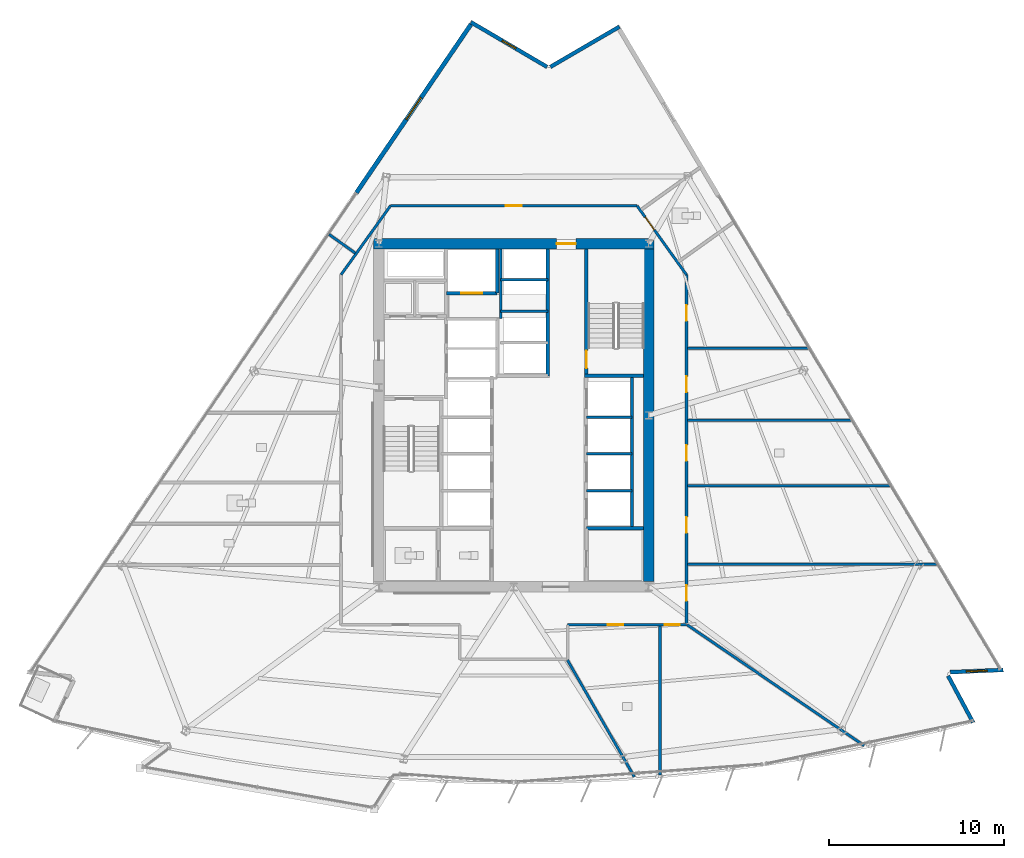
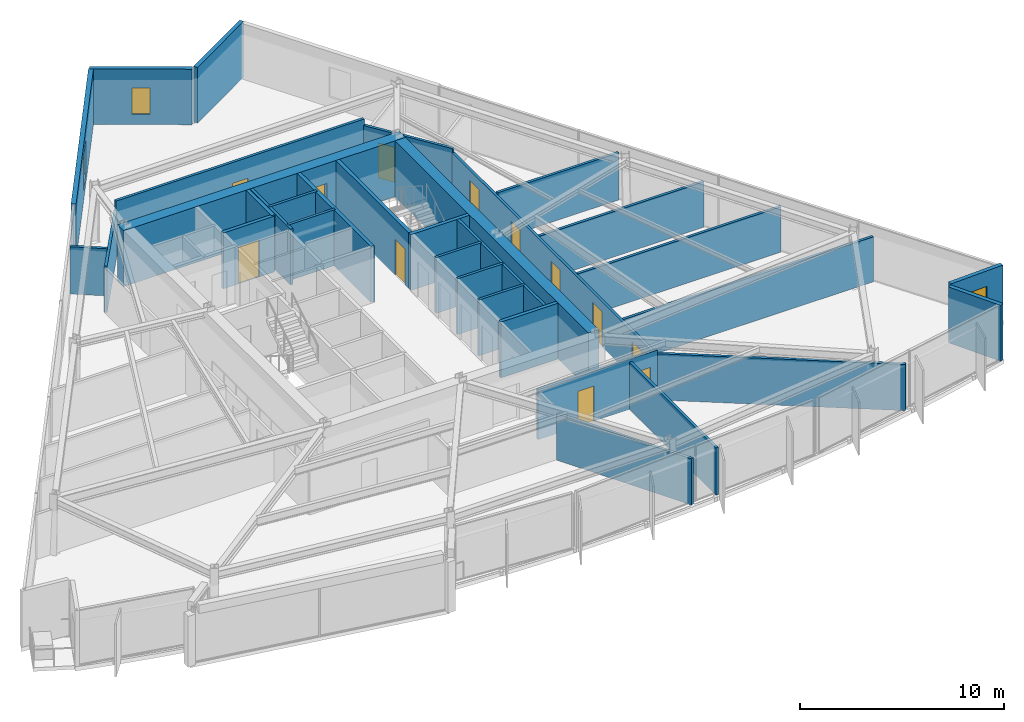
# One storey, part 9 of 15: 33 walls, 12 doors, 3 windows, 15 openings.
"""IFC4 building model written with IfcOpenShell, lengths in metres."""

from ifc_helpers import new_model, si_unit, direction, frame, frame_2d, origin, place, context, subcontext, project, spatial, rectangle, extrude, material, layer, layer_set, type_object, element, fill, save


model = new_model("IFC4")

# Units and contexts
model_context = context("Model", 3, precision=1e-05, world=origin(), true_north=direction((0.0, 1.0)))
body_context = subcontext(model_context, "Body", "Model", "MODEL_VIEW")
ifc_project = project(units=[si_unit("LENGTHUNIT", "METRE"), si_unit("AREAUNIT", "SQUARE_METRE"), si_unit("VOLUMEUNIT", "CUBIC_METRE"), si_unit("PLANEANGLEUNIT", "RADIAN"), si_unit("MASSUNIT", "GRAM", prefix="KILO")], contexts=[model_context])

# Site, building, storey
site_placement = place(None, origin())
site = spatial("IfcSite", under=ifc_project, at=site_placement, CompositionType="ELEMENT")
building_placement = place(site_placement, origin())
building = spatial("IfcBuilding", under=site, at=building_placement, Name="Savorim Split Tower", CompositionType="ELEMENT")
storey_placement = place(building_placement, frame((0.0, 0.0, 107.699951171875)))
storey = spatial("IfcBuildingStorey", under=building, at=storey_placement, Name="L28", CompositionType="ELEMENT", Elevation=107.699951171875)

# Wall, opening, door
ifc_material_1 = material(Name="Concrete C60/75", Category="concrete")
ifc_layer_1 = layer(ifc_material_1, 0.60009765625)
ifc_layer_set_1 = layer_set([ifc_layer_1], Name="WAL-COR-SH600")
wall_type_1 = type_object("IfcWallType", Name="WAL-COR-SH600", PredefinedType="SHEAR", material=ifc_layer_set_1)
wall_1_placement = place(storey_placement, frame((8.0, 10.199951171875, 0.0), z_axis=(0.0, 0.0, 1.0), x_axis=(-1.0, 0.0, 0.0)))
wall_1 = element("IfcWall", 1, at=wall_1_placement, inside=storey, type_object=wall_type_1, Name="L28 Offset Core North Shear Wall", PredefinedType="SHEAR", context=body_context, shape_type="SweptSolid", body=[
    extrude(rectangle(XDim=16.0, YDim=0.60009765625, at=frame_2d((8.0, 0.0))), origin(), (0.0, 0.0, 1.0), 3.35009765625),
])
opening_1_placement = place(wall_1_placement, frame((4.449951171875, 0.0, 0.0)))
opening_1 = element("IfcOpeningElement", 2, at=opening_1_placement, cuts=wall_1, Name="Opening DI-03", PredefinedType="OPENING", context=body_context, shape_type="SweptSolid", body=[
    extrude(rectangle(XDim=1.10009765625, YDim=2.14990234375, at=frame_2d((0.550048828125, 1.074951171875))), frame((0.0, 0.31005859375, 0.0), z_axis=(0.0, -1.0, 0.0), x_axis=(1.0, 0.0, 0.0)), (0.0, 0.0, 1.0), 0.6201171875),
])
ifc_material_2 = material(Name="Timber Fire Door Leaf", Category="wood")
door_type_1 = type_object("IfcDoorType", Name="DOR-FIR-1100", OperationType="NOTDEFINED", PredefinedType="DOOR", material=ifc_material_2)
door_1_placement = place(opening_1_placement, origin())
door_1 = element("IfcDoor", 3, at=door_1_placement, inside=storey, type_object=door_type_1, Name="DOR-L28-COR-NLOB - L28 North Corridor Lobby Fire Door", OperationType="SINGLE_SWING_LEFT", OverallHeight=2.14990234375, OverallWidth=1.10009765625, PredefinedType="DOOR", context=body_context, shape_type="SweptSolid", body=[
    extrude(rectangle(XDim=1.10009765625, YDim=2.14990234375, at=frame_2d((0.550048828125, 1.074951171875))), frame((0.0, 0.02490234375, 0.0), z_axis=(0.0, -1.0, 0.0), x_axis=(1.0, 0.0, 0.0)), (0.0, 0.0, 1.0), 0.050048828125),
])
fill(opening_1, door_1)

# Walls
wall_2_placement = place(storey_placement, frame((7.699951171875, 9.89990234375, 0.0), z_axis=(0.0, 0.0, 1.0), x_axis=(0.0, -1.0, 0.0)))
element("IfcWall", 4, at=wall_2_placement, inside=storey, type_object=wall_type_1, Name="L28 Offset Core East Shear Wall", PredefinedType="SHEAR", context=body_context, shape_type="SweptSolid", body=[
    extrude(rectangle(XDim=19.0, YDim=0.60009765625, at=frame_2d((9.5, 0.0))), origin(), (0.0, 0.0, 1.0), 3.35009765625),
])
ifc_material_3 = material(Name="Precast concrete C40/50", Category="concrete")
ifc_layer_2 = layer(ifc_material_3, 0.219970703125)
ifc_layer_set_2 = layer_set([ifc_layer_2], Name="WAL-EXT-CRN220")
wall_type_2 = type_object("IfcWallType", Name="WAL-EXT-CRN220", PredefinedType="SOLIDWALL", material=ifc_layer_set_2)
wall_3_placement = place(storey_placement, frame((24.79833984375, -14.477294921875, 0.0), z_axis=(0.0, 0.0, 1.0), x_axis=(0.472820757697, -0.881158629925, 0.0)))
element("IfcWall", 5, at=wall_3_placement, inside=storey, type_object=wall_type_2, Name="L28 Notched Corner Facade Wall SE1", PredefinedType="SOLIDWALL", context=body_context, shape_type="SweptSolid", body=[
    extrude(rectangle(XDim=3.02880859375, YDim=0.219970703125, at=frame_2d((1.514404296875, 0.0))), origin(), (0.0, 0.0, 1.0), 3.35009765625),
])

# Wall, opening, window
wall_4_placement = place(storey_placement, frame((27.943359375, -14.135009765625, 0.0), z_axis=(0.0, 0.0, 1.0), x_axis=(-0.999095621918, -0.042519857284, 0.0)))
wall_4 = element("IfcWall", 6, at=wall_4_placement, inside=storey, type_object=wall_type_2, Name="L28 Notched Corner Facade Wall SE", PredefinedType="SOLIDWALL", context=body_context, shape_type="SweptSolid", body=[
    extrude(rectangle(XDim=3.02587890625, YDim=0.219970703125, at=frame_2d((1.512939453125, 0.0))), origin(), (0.0, 0.0, 1.0), 3.35009765625),
])
opening_2_placement = place(wall_4_placement, frame((0.9130859375, 0.0, 0.6201171875)))
opening_2 = element("IfcOpeningElement", 7, at=opening_2_placement, cuts=wall_4, Name="Opening WN-08", PredefinedType="OPENING", context=body_context, shape_type="SweptSolid", body=[
    extrude(rectangle(XDim=1.199951171875, YDim=1.800048828125, at=frame_2d((0.60009765625, 0.89990234375))), frame((0.0, 0.119873046875, 0.0), z_axis=(0.0, -1.0, 0.0), x_axis=(1.0, 0.0, 0.0)), (0.0, 0.0, 1.0), 0.239990234375),
])
ifc_material_4 = material(Name="Low-E Operable Double Glazing", Category="glass")
window_type_1 = type_object("IfcWindowType", Name="WIN-TWR-1200x1800", PartitioningType="SINGLE_PANEL", PredefinedType="WINDOW", material=ifc_material_4)
window_1_placement = place(opening_2_placement, origin())
window_1 = element("IfcWindow", 8, at=window_1_placement, inside=storey, type_object=window_type_1, Name="L28 Operable Corner Window SE", OverallHeight=1.800048828125, OverallWidth=1.199951171875, PartitioningType="SINGLE_PANEL", PredefinedType="WINDOW", context=body_context, shape_type="SweptSolid", body=[
    extrude(rectangle(XDim=1.199951171875, YDim=1.800048828125, at=frame_2d((0.60009765625, 0.89990234375))), frame((0.0, 0.030029296875, 0.0), z_axis=(0.0, -1.0, 0.0), x_axis=(1.0, 0.0, 0.0)), (0.0, 0.0, 1.0), 0.06005859375),
])
fill(opening_2, window_1)

# Wall
wall_5_placement = place(storey_placement, frame((2.090087890625, 20.290771484375, 0.0), z_axis=(0.0, 0.0, 1.0), x_axis=(0.863978647835, 0.503528446153, 0.0)))
element("IfcWall", 9, at=wall_5_placement, inside=storey, type_object=wall_type_2, Name="L28 Notched Corner Facade Wall NE1", PredefinedType="SOLIDWALL", context=body_context, shape_type="SweptSolid", body=[
    extrude(rectangle(XDim=4.564453125, YDim=0.219970703125, at=frame_2d((2.2822265625, 0.0))), origin(), (0.0, 0.0, 1.0), 3.35009765625),
])

# Wall, opening, window
wall_6_placement = place(storey_placement, frame((-2.447021484375, 22.845703125, 0.0), z_axis=(0.0, 0.0, 1.0), x_axis=(0.8621357974, -0.506677280763, 0.0)))
wall_6 = element("IfcWall", 10, at=wall_6_placement, inside=storey, type_object=wall_type_2, Name="L28 Notched Corner Facade Wall N", PredefinedType="SOLIDWALL", context=body_context, shape_type="SweptSolid", body=[
    extrude(rectangle(XDim=5.0419921875, YDim=0.219970703125, at=frame_2d((2.52099609375, 0.0))), origin(), (0.0, 0.0, 1.0), 3.35009765625),
])
opening_3_placement = place(wall_6_placement, frame((2.071044921875, 0.0, 0.6201171875)))
opening_3 = element("IfcOpeningElement", 11, at=opening_3_placement, cuts=wall_6, Name="Opening WN-10", PredefinedType="OPENING", context=body_context, shape_type="SweptSolid", body=[
    extrude(rectangle(XDim=0.89990234375, YDim=1.60009765625, at=frame_2d((0.449951171875, 0.800048828125))), frame((0.0, 0.119873046875, 0.0), z_axis=(0.0, -1.0, 0.0), x_axis=(1.0, 0.0, 0.0)), (0.0, 0.0, 1.0), 0.239990234375),
])
window_type_2 = type_object("IfcWindowType", Name="WIN-TWR-900x1600", PartitioningType="SINGLE_PANEL", PredefinedType="WINDOW", material=ifc_material_4)
window_2_placement = place(opening_3_placement, origin())
window_2 = element("IfcWindow", 12, at=window_2_placement, inside=storey, type_object=window_type_2, Name="L28 Operable Corner Window N", OverallHeight=1.60009765625, OverallWidth=0.89990234375, PartitioningType="SINGLE_PANEL", PredefinedType="WINDOW", context=body_context, shape_type="SweptSolid", body=[
    extrude(rectangle(XDim=0.89990234375, YDim=1.60009765625, at=frame_2d((0.449951171875, 0.800048828125))), frame((0.0, 0.030029296875, 0.0), z_axis=(0.0, -1.0, 0.0), x_axis=(1.0, 0.0, 0.0)), (0.0, 0.0, 1.0), 0.06005859375),
])
fill(opening_3, window_2)

ifc_layer_3 = layer(ifc_material_3, 0.25)
ifc_layer_set_3 = layer_set([ifc_layer_3], Name="WAL-EXT-SPN250")
wall_type_3 = type_object("IfcWallType", Name="WAL-EXT-SPN250", PredefinedType="SOLIDWALL", material=ifc_layer_set_3)
wall_7_placement = place(storey_placement, frame((-8.98388671875, 13.1083984375, 0.0), z_axis=(0.0, 0.0, 1.0), x_axis=(0.562459365703, 0.826824928225, 0.0)))
wall_7 = element("IfcWall", 13, at=wall_7_placement, inside=storey, type_object=wall_type_3, Name="L28 West Operable Window Pier", PredefinedType="SOLIDWALL", context=body_context, shape_type="SweptSolid", body=[
    extrude(rectangle(XDim=11.625, YDim=0.25, at=frame_2d((5.8125, 0.0))), origin(), (0.0, 0.0, 1.0), 3.35009765625),
])
opening_4_placement = place(wall_7_placement, frame((5.0625, 0.0, 0.6201171875)))
opening_4 = element("IfcOpeningElement", 14, at=opening_4_placement, cuts=wall_7, Name="Opening WN-06", PredefinedType="OPENING", context=body_context, shape_type="SweptSolid", body=[
    extrude(rectangle(XDim=1.5, YDim=2.0, at=frame_2d((0.75, 1.0))), frame((0.0, 0.135009765625, 0.0), z_axis=(0.0, -1.0, 0.0), x_axis=(1.0, 0.0, 0.0)), (0.0, 0.0, 1.0), 0.27001953125),
])
window_type_3 = type_object("IfcWindowType", Name="WIN-TWR-1500x2000", PartitioningType="SINGLE_PANEL", PredefinedType="WINDOW", material=ifc_material_4)
window_3_placement = place(opening_4_placement, origin())
window_3 = element("IfcWindow", 15, at=window_3_placement, inside=storey, type_object=window_type_3, Name="L28 West Operable Ventilation Window", OverallHeight=2.0, OverallWidth=1.5, PartitioningType="SINGLE_PANEL", PredefinedType="WINDOW", context=body_context, shape_type="SweptSolid", body=[
    extrude(rectangle(XDim=1.5, YDim=2.0, at=frame_2d((0.75, 1.0))), frame((0.0, 0.030029296875, 0.0), z_axis=(0.0, -1.0, 0.0), x_axis=(1.0, 0.0, 0.0)), (0.0, 0.0, 1.0), 0.06005859375),
])
fill(opening_4, window_3)

# Wall, opening, door
ifc_material_5 = material(Name="Concrete C50/60", Category="concrete")
ifc_layer_4 = layer(ifc_material_5, 0.199951171875)
ifc_layer_set_4 = layer_set([ifc_layer_4], Name="WAL-INT-RC200")
wall_type_4 = type_object("IfcWallType", Name="WAL-INT-RC200", PredefinedType="SOLIDWALL", material=ifc_layer_set_4)
wall_8_placement = place(storey_placement, frame((4.14990234375, 2.75, 0.0), z_axis=(0.0, 0.0, 1.0), x_axis=(0.0, 1.0, 0.0)))
wall_8 = element("IfcWall", 16, at=wall_8_placement, inside=storey, type_object=wall_type_4, Name="L28 Structural Shaft Wall W-L28-CR07", PredefinedType="SOLIDWALL", context=body_context, shape_type="SweptSolid", body=[
    extrude(rectangle(XDim=7.14990234375, YDim=0.199951171875, at=frame_2d((3.574951171875, 0.0))), origin(), (0.0, 0.0, 1.0), 3.35009765625),
])
opening_5_placement = place(wall_8_placement, frame((0.35009765625, 0.0, 0.0)))
opening_5 = element("IfcOpeningElement", 17, at=opening_5_placement, cuts=wall_8, Name="Opening DI-04", PredefinedType="OPENING", context=body_context, shape_type="SweptSolid", body=[
    extrude(rectangle(XDim=1.0, YDim=2.14990234375, at=frame_2d((0.5, 1.074951171875))), frame((0.0, 0.10986328125, 0.0), z_axis=(0.0, -1.0, 0.0), x_axis=(1.0, 0.0, 0.0)), (0.0, 0.0, 1.0), 0.219970703125),
])
door_type_2 = type_object("IfcDoorType", Name="DOR-FIR-1000", OperationType="NOTDEFINED", PredefinedType="DOOR", material=ifc_material_2)
door_2_placement = place(opening_5_placement, origin())
door_2 = element("IfcDoor", 18, at=door_2_placement, inside=storey, type_object=door_type_2, Name="DR-L28-ST2 - L28 Stair ST-2 Enclosure Door", OperationType="SINGLE_SWING_RIGHT", OverallHeight=2.14990234375, OverallWidth=1.0, PredefinedType="DOOR", context=body_context, shape_type="SweptSolid", body=[
    extrude(rectangle(XDim=1.0, YDim=2.14990234375, at=frame_2d((0.5, 1.074951171875))), frame((0.0, 0.02490234375, 0.0), z_axis=(0.0, -1.0, 0.0), x_axis=(1.0, 0.0, 0.0)), (0.0, 0.0, 1.0), 0.050048828125),
])
fill(opening_5, door_2)

# Wall
wall_9_placement = place(storey_placement, frame((4.050048828125, 2.64990234375, 0.0), z_axis=(0.0, 0.0, 1.0), x_axis=(1.0, 0.0, 0.0)))
element("IfcWall", 19, at=wall_9_placement, inside=storey, type_object=wall_type_4, Name="L28 Structural Shaft Wall W-L28-CR08", PredefinedType="SOLIDWALL", context=body_context, shape_type="SweptSolid", body=[
    extrude(rectangle(XDim=3.349853515625, YDim=0.199951171875, at=frame_2d((1.6748046875, 0.0))), origin(), (0.0, 0.0, 1.0), 3.35009765625),
])

# Wall, opening, door
wall_10_placement = place(storey_placement, frame((-3.85009765625, 7.3798828125, 0.0), z_axis=(0.0, 0.0, 1.0), x_axis=(1.0, 0.0, 0.0)))
wall_10 = element("IfcWall", 20, at=wall_10_placement, inside=storey, type_object=wall_type_4, Name="L28 Partition W-L28-SVLS", PredefinedType="SOLIDWALL", context=body_context, shape_type="SweptSolid", body=[
    extrude(rectangle(XDim=2.900146484375, YDim=0.199951171875, at=frame_2d((1.4501953125, 0.0))), origin(), (0.0, 0.0, 1.0), 3.35009765625),
])
opening_6_placement = place(wall_10_placement, frame((0.85009765625, 0.0, 0.0)))
opening_6 = element("IfcOpeningElement", 21, at=opening_6_placement, cuts=wall_10, Name="Opening LD-SV", PredefinedType="OPENING", context=body_context, shape_type="SweptSolid", body=[
    extrude(rectangle(XDim=1.199951171875, YDim=2.199951171875, at=frame_2d((0.60009765625, 1.10009765625))), frame((0.0, 0.10986328125, 0.0), z_axis=(0.0, -1.0, 0.0), x_axis=(1.0, 0.0, 0.0)), (0.0, 0.0, 1.0), 0.219970703125),
])
ifc_material_6 = material(Name="Charcoal Anodised Aluminium", Category="aluminium")
door_type_3 = type_object("IfcDoorType", Name="DOR-SLD-SV1200", OperationType="NOTDEFINED", PredefinedType="DOOR", material=ifc_material_6)
door_3_placement = place(opening_6_placement, origin())
door_3 = element("IfcDoor", 22, at=door_3_placement, inside=storey, type_object=door_type_3, Name="DR-L28-LD-SVL1 - L28 Service Lift SVL-1 Sliding Landing Door", OperationType="DOUBLE_DOOR_SLIDING", OverallHeight=2.199951171875, OverallWidth=1.199951171875, PredefinedType="DOOR", context=body_context, shape_type="SweptSolid", body=[
    extrude(rectangle(XDim=1.199951171875, YDim=2.199951171875, at=frame_2d((0.60009765625, 1.10009765625))), frame((0.0, 0.02490234375, 0.0), z_axis=(0.0, -1.0, 0.0), x_axis=(1.0, 0.0, 0.0)), (0.0, 0.0, 1.0), 0.050048828125),
])
fill(opening_6, door_3)

# Walls
wall_11_placement = place(storey_placement, frame((-0.949951171875, 7.3798828125, 0.0), z_axis=(0.0, 0.0, 1.0), x_axis=(0.0, 1.0, 0.0)))
element("IfcWall", 23, at=wall_11_placement, inside=storey, type_object=wall_type_4, Name="L28 Partition W-L28-SVLE", PredefinedType="SOLIDWALL", context=body_context, shape_type="SweptSolid", body=[
    extrude(rectangle(XDim=2.51513671875, YDim=0.199951171875, at=frame_2d((1.257568359375, 0.0))), origin(), (0.0, 0.0, 1.0), 3.35009765625),
])
wall_12_placement = place(storey_placement, frame((1.949951171875, 2.64990234375, 0.0), z_axis=(0.0, 0.0, 1.0), x_axis=(0.0, 1.0, 0.0)))
element("IfcWall", 24, at=wall_12_placement, inside=storey, type_object=wall_type_4, Name="L28 Partition W-L28-B3FRONT", PredefinedType="SOLIDWALL", context=body_context, shape_type="SweptSolid", body=[
    extrude(rectangle(XDim=7.2451171875, YDim=0.199951171875, at=frame_2d((3.62255859375, 0.0))), origin(), (0.0, 0.0, 1.0), 3.35009765625),
])
wall_13_placement = place(storey_placement, frame((4.14990234375, -6.050048828125, 0.0), z_axis=(0.0, 0.0, 1.0), x_axis=(1.0, 0.0, 0.0)))
element("IfcWall", 25, at=wall_13_placement, inside=storey, type_object=wall_type_4, Name="L28 Partition W-L28-KSEP-E", PredefinedType="SOLIDWALL", context=body_context, shape_type="SweptSolid", body=[
    extrude(rectangle(XDim=3.2451171875, YDim=0.199951171875, at=frame_2d((1.62255859375, 0.0))), origin(), (0.0, 0.0, 1.0), 3.35009765625),
])
ifc_material_7 = material(Name="Acoustic Gypsum Partition Board")
ifc_layer_5 = layer(ifc_material_7, 0.14990234375)
ifc_layer_set_5 = layer_set([ifc_layer_5], Name="WAL-PAR-150")
wall_type_5 = type_object("IfcWallType", Name="WAL-PAR-150", PredefinedType="PARTITIONING", material=ifc_layer_set_5)
wall_14_placement = place(storey_placement, frame((6.75, -6.050048828125, 0.0), z_axis=(0.0, 0.0, 1.0), x_axis=(0.0, 1.0, 0.0)))
element("IfcWall", 26, at=wall_14_placement, inside=storey, type_object=wall_type_5, Name="L28 Partition W-L28-B1BACK", PredefinedType="PARTITIONING", context=body_context, shape_type="SweptSolid", body=[
    extrude(rectangle(XDim=8.699951171875, YDim=0.14990234375, at=frame_2d((4.35009765625, 0.0))), origin(), (0.0, 0.0, 1.0), 3.35009765625),
])
for number, where, z_axis, x_axis, name in (
    (27, (4.14990234375, -3.89990234375, 0.0), (0.0, 0.0, 1.0), (1.0, 0.0, 0.0), "L28 Partition W-L28-B1DIV1"),
    (28, (4.14990234375, -1.800048828125, 0.0), (0.0, 0.0, 1.0), (1.0, 0.0, 0.0), "L28 Partition W-L28-B1DIV2"),
    (29, (4.14990234375, 0.300048828125, 0.0), (0.0, 0.0, 1.0), (1.0, 0.0, 0.0), "L28 Partition W-L28-B1DIV3"),
):
    element("IfcWall", number, at=place(storey_placement, frame(where, z_axis=z_axis, x_axis=x_axis)), inside=storey, type_object=wall_type_5, Name=name, PredefinedType="PARTITIONING", context=body_context, shape_type="SweptSolid", body=[
        extrude(rectangle(XDim=2.60009765625, YDim=0.14990234375, at=frame_2d((1.300048828125, 0.0))), origin(), (0.0, 0.0, 1.0), 3.35009765625),
    ])
wall_15_placement = place(storey_placement, frame((-0.75, 5.919921875, 0.0), z_axis=(0.0, 0.0, 1.0), x_axis=(0.0, 1.0, 0.0)))
element("IfcWall", 30, at=wall_15_placement, inside=storey, type_object=wall_type_5, Name="L28 Partition W-L28-B3WEST", PredefinedType="PARTITIONING", context=body_context, shape_type="SweptSolid", body=[
    extrude(rectangle(XDim=3.97509765625, YDim=0.14990234375, at=frame_2d((1.987548828125, 0.0))), origin(), (0.0, 0.0, 1.0), 3.35009765625),
])
for number, where, z_axis, x_axis, name in (
    (31, (-0.75, 6.35009765625, 0.0), (0.0, 0.0, 1.0), (1.0, 0.0, 0.0), "L28 Partition W-L28-B3DIV2"),
    (32, (-0.75, 8.14990234375, 0.0), (0.0, 0.0, 1.0), (1.0, 0.0, 0.0), "L28 Partition W-L28-B3DIV3"),
):
    element("IfcWall", number, at=place(storey_placement, frame(where, z_axis=z_axis, x_axis=x_axis)), inside=storey, type_object=wall_type_5, Name=name, PredefinedType="PARTITIONING", context=body_context, shape_type="SweptSolid", body=[
        extrude(rectangle(XDim=2.699951171875, YDim=0.14990234375, at=frame_2d((1.35009765625, 0.0))), origin(), (0.0, 0.0, 1.0), 3.35009765625),
    ])
wall_16_placement = place(storey_placement, frame((-9.860107421875, 8.42578125, 0.0), z_axis=(0.0, 0.0, 1.0), x_axis=(0.582449511476, 0.812866881218, 0.0)))
element("IfcWall", 33, at=wall_16_placement, inside=storey, type_object=wall_type_5, Name="L28 Partition W-L28-COR-02", PredefinedType="PARTITIONING", context=body_context, shape_type="SweptSolid", body=[
    extrude(rectangle(XDim=4.840087890625, YDim=0.14990234375, at=frame_2d((2.419921875, 0.0))), origin(), (0.0, 0.0, 1.0), 2.775146484375),
])

# Wall, opening, door
wall_17_placement = place(storey_placement, frame((-7.041015625, 12.360107421875, 0.0), z_axis=(0.0, 0.0, 1.0), x_axis=(1.0, 0.0, 0.0)))
wall_17 = element("IfcWall", 34, at=wall_17_placement, inside=storey, type_object=wall_type_5, Name="L28 Partition W-L28-COR-03", PredefinedType="PARTITIONING", context=body_context, shape_type="SweptSolid", body=[
    extrude(rectangle(XDim=14.08203125, YDim=0.14990234375, at=frame_2d((7.041015625, 0.0))), origin(), (0.0, 0.0, 1.0), 3.35009765625),
])
opening_7_placement = place(wall_17_placement, frame((6.591064453125, 0.0, 0.0)))
opening_7 = element("IfcOpeningElement", 35, at=opening_7_placement, cuts=wall_17, Name="Opening DI-06", PredefinedType="OPENING", context=body_context, shape_type="SweptSolid", body=[
    extrude(rectangle(XDim=0.89990234375, YDim=2.10009765625, at=frame_2d((0.449951171875, 1.050048828125))), frame((0.0, 0.0849609375, 0.0), z_axis=(0.0, -1.0, 0.0), x_axis=(1.0, 0.0, 0.0)), (0.0, 0.0, 1.0), 0.169921875),
])
door_type_4 = type_object("IfcDoorType", Name="DOR-FIR-900", OperationType="NOTDEFINED", PredefinedType="DOOR", material=ifc_material_2)
door_4_placement = place(opening_7_placement, origin())
door_4 = element("IfcDoor", 36, at=door_4_placement, inside=storey, type_object=door_type_4, Name="DR-L28-RM13 - L28 Quiet Study Room Entry Door", OperationType="SINGLE_SWING_RIGHT", OverallHeight=2.10009765625, OverallWidth=0.89990234375, PredefinedType="DOOR", context=body_context, shape_type="SweptSolid", body=[
    extrude(rectangle(XDim=0.89990234375, YDim=2.10009765625, at=frame_2d((0.449951171875, 1.050048828125))), frame((0.0, 0.02490234375, 0.0), z_axis=(0.0, -1.0, 0.0), x_axis=(1.0, 0.0, 0.0)), (0.0, 0.0, 1.0), 0.050048828125),
])
fill(opening_7, door_4)

wall_18_placement = place(storey_placement, frame((7.041015625, 12.360107421875, 0.0), z_axis=(0.0, 0.0, 1.0), x_axis=(0.582449511476, -0.812866881218, 0.0)))
wall_18 = element("IfcWall", 37, at=wall_18_placement, inside=storey, type_object=wall_type_5, Name="L28 Partition W-L28-COR-04", PredefinedType="PARTITIONING", context=body_context, shape_type="SweptSolid", body=[
    extrude(rectangle(XDim=4.840087890625, YDim=0.14990234375, at=frame_2d((2.419921875, 0.0))), origin(), (0.0, 0.0, 1.0), 2.965087890625),
])
opening_8_placement = place(wall_18_placement, frame((0.7919921875, 0.0, 0.0)))
opening_8 = element("IfcOpeningElement", 38, at=opening_8_placement, cuts=wall_18, Name="Opening DI-11", PredefinedType="OPENING", context=body_context, shape_type="SweptSolid", body=[
    extrude(rectangle(XDim=0.89990234375, YDim=2.10009765625, at=frame_2d((0.449951171875, 1.050048828125))), frame((0.0, 0.0849609375, 0.0), z_axis=(0.0, -1.0, 0.0), x_axis=(1.0, 0.0, 0.0)), (0.0, 0.0, 1.0), 0.169921875),
])
ifc_material_8 = material(Name="Oak Veneer Acoustic Door")
door_type_5 = type_object("IfcDoorType", Name="DOR-WC-900", OperationType="NOTDEFINED", PredefinedType="DOOR", material=ifc_material_8)
door_5_placement = place(opening_8_placement, origin())
door_5 = element("IfcDoor", 39, at=door_5_placement, inside=storey, type_object=door_type_5, Name="DR-L28-RM12 - L28 Shared Bathroom Entry Door", OperationType="SINGLE_SWING_LEFT", OverallHeight=2.10009765625, OverallWidth=0.89990234375, PredefinedType="DOOR", context=body_context, shape_type="SweptSolid", body=[
    extrude(rectangle(XDim=0.89990234375, YDim=2.10009765625, at=frame_2d((0.449951171875, 1.050048828125))), frame((0.0, 0.02490234375, 0.0), z_axis=(0.0, -1.0, 0.0), x_axis=(1.0, 0.0, 0.0)), (0.0, 0.0, 1.0), 0.050048828125),
])
fill(opening_8, door_5)

# Wall, openings, doors
wall_19_placement = place(storey_placement, frame((9.860107421875, 8.42578125, 0.0), z_axis=(0.0, 0.0, 1.0), x_axis=(0.0, -1.0, 0.0)))
wall_19 = element("IfcWall", 40, at=wall_19_placement, inside=storey, type_object=wall_type_5, Name="L28 Partition W-L28-COR-05", PredefinedType="PARTITIONING", context=body_context, shape_type="SweptSolid", body=[
    extrude(rectangle(XDim=19.98583984375, YDim=0.14990234375, at=frame_2d((9.992919921875, 0.0))), origin(), (0.0, 0.0, 1.0), 2.705078125),
])
opening_9_placement = place(wall_19_placement, frame((17.71337890625, 0.0, 0.0)))
opening_9 = element("IfcOpeningElement", 41, at=opening_9_placement, cuts=wall_19, Name="Opening DI-06", PredefinedType="OPENING", context=body_context, shape_type="SweptSolid", body=[
    extrude(rectangle(XDim=0.89990234375, YDim=2.10009765625, at=frame_2d((0.449951171875, 1.050048828125))), frame((0.0, 0.0849609375, 0.0), z_axis=(0.0, -1.0, 0.0), x_axis=(1.0, 0.0, 0.0)), (0.0, 0.0, 1.0), 0.169921875),
])
opening_10_placement = place(wall_19_placement, frame((13.83203125, 0.0, 0.0)))
opening_10 = element("IfcOpeningElement", 42, at=opening_10_placement, cuts=wall_19, Name="Opening DI-06", PredefinedType="OPENING", context=body_context, shape_type="SweptSolid", body=[
    extrude(rectangle(XDim=0.89990234375, YDim=2.10009765625, at=frame_2d((0.449951171875, 1.050048828125))), frame((0.0, 0.0849609375, 0.0), z_axis=(0.0, -1.0, 0.0), x_axis=(1.0, 0.0, 0.0)), (0.0, 0.0, 1.0), 0.169921875),
])
opening_11_placement = place(wall_19_placement, frame((9.722412109375, 0.0, 0.0)))
opening_11 = element("IfcOpeningElement", 43, at=opening_11_placement, cuts=wall_19, Name="Opening DI-06", PredefinedType="OPENING", context=body_context, shape_type="SweptSolid", body=[
    extrude(rectangle(XDim=0.89990234375, YDim=2.10009765625, at=frame_2d((0.449951171875, 1.050048828125))), frame((0.0, 0.0849609375, 0.0), z_axis=(0.0, -1.0, 0.0), x_axis=(1.0, 0.0, 0.0)), (0.0, 0.0, 1.0), 0.169921875),
])
opening_12_placement = place(wall_19_placement, frame((5.795654296875, 0.0, 0.0)))
opening_12 = element("IfcOpeningElement", 44, at=opening_12_placement, cuts=wall_19, Name="Opening DI-06", PredefinedType="OPENING", context=body_context, shape_type="SweptSolid", body=[
    extrude(rectangle(XDim=0.89990234375, YDim=2.10009765625, at=frame_2d((0.449951171875, 1.050048828125))), frame((0.0, 0.0849609375, 0.0), z_axis=(0.0, -1.0, 0.0), x_axis=(1.0, 0.0, 0.0)), (0.0, 0.0, 1.0), 0.169921875),
])
opening_13_placement = place(wall_19_placement, frame((1.734619140625, 0.0, 0.0)))
opening_13 = element("IfcOpeningElement", 45, at=opening_13_placement, cuts=wall_19, Name="Opening DI-06", PredefinedType="OPENING", context=body_context, shape_type="SweptSolid", body=[
    extrude(rectangle(XDim=0.89990234375, YDim=2.10009765625, at=frame_2d((0.449951171875, 1.050048828125))), frame((0.0, 0.0849609375, 0.0), z_axis=(0.0, -1.0, 0.0), x_axis=(1.0, 0.0, 0.0)), (0.0, 0.0, 1.0), 0.169921875),
])
door_6_placement = place(opening_9_placement, origin())
door_6 = element("IfcDoor", 46, at=door_6_placement, inside=storey, type_object=door_type_4, Name="DR-L28-RM07 - L28 Quiet Study Room Entry Door", OperationType="SINGLE_SWING_RIGHT", OverallHeight=2.10009765625, OverallWidth=0.89990234375, PredefinedType="DOOR", context=body_context, shape_type="SweptSolid", body=[
    extrude(rectangle(XDim=0.89990234375, YDim=2.10009765625, at=frame_2d((0.449951171875, 1.050048828125))), frame((0.0, 0.02490234375, 0.0), z_axis=(0.0, -1.0, 0.0), x_axis=(1.0, 0.0, 0.0)), (0.0, 0.0, 1.0), 0.050048828125),
])
fill(opening_9, door_6)
door_7_placement = place(opening_10_placement, origin())
door_7 = element("IfcDoor", 47, at=door_7_placement, inside=storey, type_object=door_type_4, Name="DR-L28-RM08 - L28 Quiet Study Room Entry Door", OperationType="SINGLE_SWING_LEFT", OverallHeight=2.10009765625, OverallWidth=0.89990234375, PredefinedType="DOOR", context=body_context, shape_type="SweptSolid", body=[
    extrude(rectangle(XDim=0.89990234375, YDim=2.10009765625, at=frame_2d((0.449951171875, 1.050048828125))), frame((0.0, 0.02490234375, 0.0), z_axis=(0.0, -1.0, 0.0), x_axis=(1.0, 0.0, 0.0)), (0.0, 0.0, 1.0), 0.050048828125),
])
fill(opening_10, door_7)
door_8_placement = place(opening_11_placement, origin())
door_8 = element("IfcDoor", 48, at=door_8_placement, inside=storey, type_object=door_type_4, Name="DR-L28-RM09 - L28 Community Laundry Room Entry Door", OperationType="SINGLE_SWING_RIGHT", OverallHeight=2.10009765625, OverallWidth=0.89990234375, PredefinedType="DOOR", context=body_context, shape_type="SweptSolid", body=[
    extrude(rectangle(XDim=0.89990234375, YDim=2.10009765625, at=frame_2d((0.449951171875, 1.050048828125))), frame((0.0, 0.02490234375, 0.0), z_axis=(0.0, -1.0, 0.0), x_axis=(1.0, 0.0, 0.0)), (0.0, 0.0, 1.0), 0.050048828125),
])
fill(opening_11, door_8)
door_9_placement = place(opening_12_placement, origin())
door_9 = element("IfcDoor", 49, at=door_9_placement, inside=storey, type_object=door_type_4, Name="DR-L28-RM10 - L28 Quiet Study Room Entry Door", OperationType="SINGLE_SWING_LEFT", OverallHeight=2.10009765625, OverallWidth=0.89990234375, PredefinedType="DOOR", context=body_context, shape_type="SweptSolid", body=[
    extrude(rectangle(XDim=0.89990234375, YDim=2.10009765625, at=frame_2d((0.449951171875, 1.050048828125))), frame((0.0, 0.02490234375, 0.0), z_axis=(0.0, -1.0, 0.0), x_axis=(1.0, 0.0, 0.0)), (0.0, 0.0, 1.0), 0.050048828125),
])
fill(opening_12, door_9)
door_10_placement = place(opening_13_placement, origin())
door_10 = element("IfcDoor", 50, at=door_10_placement, inside=storey, type_object=door_type_4, Name="DR-L28-RM11 - L28 Co-Living Bedroom Entry Door", OperationType="SINGLE_SWING_RIGHT", OverallHeight=2.10009765625, OverallWidth=0.89990234375, PredefinedType="DOOR", context=body_context, shape_type="SweptSolid", body=[
    extrude(rectangle(XDim=0.89990234375, YDim=2.10009765625, at=frame_2d((0.449951171875, 1.050048828125))), frame((0.0, 0.02490234375, 0.0), z_axis=(0.0, -1.0, 0.0), x_axis=(1.0, 0.0, 0.0)), (0.0, 0.0, 1.0), 0.050048828125),
])
fill(opening_13, door_10)

wall_20_placement = place(storey_placement, frame((9.860107421875, -11.56005859375, 0.0), z_axis=(0.0, 0.0, 1.0), x_axis=(-1.0, 0.0, 0.0)))
wall_20 = element("IfcWall", 51, at=wall_20_placement, inside=storey, type_object=wall_type_5, Name="L28 Partition W-L28-COR-06", PredefinedType="PARTITIONING", context=body_context, shape_type="SweptSolid", body=[
    extrude(rectangle(XDim=6.780029296875, YDim=0.14990234375, at=frame_2d((3.39013671875, 0.0))), origin(), (0.0, 0.0, 1.0), 2.9951171875),
])
opening_14_placement = place(wall_20_placement, frame((3.606689453125, 0.0, 0.0)))
opening_14 = element("IfcOpeningElement", 52, at=opening_14_placement, cuts=wall_20, Name="Opening DI-06", PredefinedType="OPENING", context=body_context, shape_type="SweptSolid", body=[
    extrude(rectangle(XDim=0.89990234375, YDim=2.10009765625, at=frame_2d((0.449951171875, 1.050048828125))), frame((0.0, 0.0849609375, 0.0), z_axis=(0.0, -1.0, 0.0), x_axis=(1.0, 0.0, 0.0)), (0.0, 0.0, 1.0), 0.169921875),
])
opening_15_placement = place(wall_20_placement, frame((0.39501953125, 0.0, 0.0)))
opening_15 = element("IfcOpeningElement", 53, at=opening_15_placement, cuts=wall_20, Name="Opening DI-13", PredefinedType="OPENING", context=body_context, shape_type="SweptSolid", body=[
    extrude(rectangle(XDim=0.85009765625, YDim=2.10009765625, at=frame_2d((0.425048828125, 1.050048828125))), frame((0.0, 0.0849609375, 0.0), z_axis=(0.0, -1.0, 0.0), x_axis=(1.0, 0.0, 0.0)), (0.0, 0.0, 1.0), 0.169921875),
])
door_type_6 = type_object("IfcDoorType", Name="DOR-FIR-850", OperationType="NOTDEFINED", PredefinedType="DOOR", material=ifc_material_2)
door_11_placement = place(opening_15_placement, origin())
door_11 = element("IfcDoor", 54, at=door_11_placement, inside=storey, type_object=door_type_6, Name="DR-L28-RM06 - L28 Quiet Study Room Entry Door", OperationType="SINGLE_SWING_LEFT", OverallHeight=2.10009765625, OverallWidth=0.85009765625, PredefinedType="DOOR", context=body_context, shape_type="SweptSolid", body=[
    extrude(rectangle(XDim=0.85009765625, YDim=2.10009765625, at=frame_2d((0.425048828125, 1.050048828125))), frame((0.0, 0.02490234375, 0.0), z_axis=(0.0, -1.0, 0.0), x_axis=(1.0, 0.0, 0.0)), (0.0, 0.0, 1.0), 0.050048828125),
])
fill(opening_15, door_11)
door_12_placement = place(opening_14_placement, origin())
door_12 = element("IfcDoor", 55, at=door_12_placement, inside=storey, type_object=door_type_4, Name="DR-L28-RM05 - L28 Community Laundry Room Entry Door", OperationType="SINGLE_SWING_RIGHT", OverallHeight=2.10009765625, OverallWidth=0.89990234375, PredefinedType="DOOR", context=body_context, shape_type="SweptSolid", body=[
    extrude(rectangle(XDim=0.89990234375, YDim=2.10009765625, at=frame_2d((0.449951171875, 1.050048828125))), frame((0.0, 0.02490234375, 0.0), z_axis=(0.0, -1.0, 0.0), x_axis=(1.0, 0.0, 0.0)), (0.0, 0.0, 1.0), 0.050048828125),
])
fill(opening_14, door_12)

# Walls
wall_21_placement = place(storey_placement, frame((3.06591796875, -13.5732421875, 0.0), z_axis=(0.0, 0.0, 1.0), x_axis=(0.496813094975, -0.867857562427, 0.0)))
element("IfcWall", 56, at=wall_21_placement, inside=storey, type_object=wall_type_5, Name="L28 Partition W-L28-PRAD03", PredefinedType="PARTITIONING", context=body_context, shape_type="SweptSolid", body=[
    extrude(rectangle(XDim=7.681396484375, YDim=0.14990234375, at=frame_2d((3.8408203125, 0.0))), origin(), (0.0, 0.0, 1.0), 2.775146484375),
])
wall_22_placement = place(storey_placement, frame((9.896240234375, -11.5576171875, 0.0), z_axis=(0.0, 0.0, 1.0), x_axis=(0.825927612639, -0.563776177822, 0.0)))
element("IfcWall", 57, at=wall_22_placement, inside=storey, type_object=wall_type_5, Name="L28 Partition W-L28-PRAD04", PredefinedType="PARTITIONING", context=body_context, shape_type="SweptSolid", body=[
    extrude(rectangle(XDim=12.239990234375, YDim=0.14990234375, at=frame_2d((6.1201171875, 0.0))), origin(), (0.0, 0.0, 1.0), 2.775146484375),
])
wall_23_placement = place(storey_placement, frame((9.919921875, -8.09375, 0.0), z_axis=(0.0, 0.0, 1.0), x_axis=(1.0, 0.0, 0.0)))
element("IfcWall", 58, at=wall_23_placement, inside=storey, type_object=wall_type_5, Name="L28 Partition W-L28-PRAD05", PredefinedType="PARTITIONING", context=body_context, shape_type="SweptSolid", body=[
    extrude(rectangle(XDim=14.208251953125, YDim=0.14990234375, at=frame_2d((7.10400390625, 0.0))), origin(), (0.0, 0.0, 1.0), 2.705078125),
])
wall_24_placement = place(storey_placement, frame((9.919921875, 0.125244140625, 0.0), z_axis=(0.0, 0.0, 1.0), x_axis=(1.0, 0.0, 0.0)))
element("IfcWall", 59, at=wall_24_placement, inside=storey, type_object=wall_type_5, Name="L28 Partition W-L28-SUB01", PredefinedType="PARTITIONING", context=body_context, shape_type="SweptSolid", body=[
    extrude(rectangle(XDim=9.321044921875, YDim=0.14990234375, at=frame_2d((4.66064453125, 0.0))), origin(), (0.0, 0.0, 1.0), 2.72509765625),
])
wall_25_placement = place(storey_placement, frame((8.34814453125, -11.6201171875, 0.0), z_axis=(0.0, 0.0, 1.0), x_axis=(0.0, -1.0, 0.0)))
element("IfcWall", 60, at=wall_25_placement, inside=storey, type_object=wall_type_5, Name="L28 Partition W-L28-SUB04", PredefinedType="PARTITIONING", context=body_context, shape_type="SweptSolid", body=[
    extrude(rectangle(XDim=8.5107421875, YDim=0.14990234375, at=frame_2d((4.25537109375, 0.0))), origin(), (0.0, 0.0, 1.0), 2.8349609375),
])
wall_26_placement = place(storey_placement, frame((9.919921875, -3.61865234375, 0.0), z_axis=(0.0, 0.0, 1.0), x_axis=(1.0, 0.0, 0.0)))
element("IfcWall", 61, at=wall_26_placement, inside=storey, type_object=wall_type_5, Name="L28 Partition W-L28-SUB05", PredefinedType="PARTITIONING", context=body_context, shape_type="SweptSolid", body=[
    extrude(rectangle(XDim=11.54736328125, YDim=0.14990234375, at=frame_2d((5.773681640625, 0.0))), origin(), (0.0, 0.0, 1.0), 2.72509765625),
])
wall_27_placement = place(storey_placement, frame((9.919921875, 4.234619140625, 0.0), z_axis=(0.0, 0.0, 1.0), x_axis=(1.0, 0.0, 0.0)))
element("IfcWall", 62, at=wall_27_placement, inside=storey, type_object=wall_type_5, Name="L28 Partition W-L28-SUB06", PredefinedType="PARTITIONING", context=body_context, shape_type="SweptSolid", body=[
    extrude(rectangle(XDim=6.87744140625, YDim=0.14990234375, at=frame_2d((3.438720703125, 0.0))), origin(), (0.0, 0.0, 1.0), 2.8349609375),
])
wall_28_placement = place(storey_placement, frame((-9.0498046875, 9.65966796875, 0.0), z_axis=(0.0, 0.0, 1.0), x_axis=(-0.81283391876, 0.582495511153, 0.0)))
element("IfcWall", 63, at=wall_28_placement, inside=storey, type_object=wall_type_5, Name="L28 Partition W-L28-SUB07", PredefinedType="PARTITIONING", context=body_context, shape_type="SweptSolid", body=[
    extrude(rectangle(XDim=1.835693359375, YDim=0.14990234375, at=frame_2d((0.91796875, 0.0))), origin(), (0.0, 0.0, 1.0), 2.8349609375),
])

save(model, "model.ifc")
